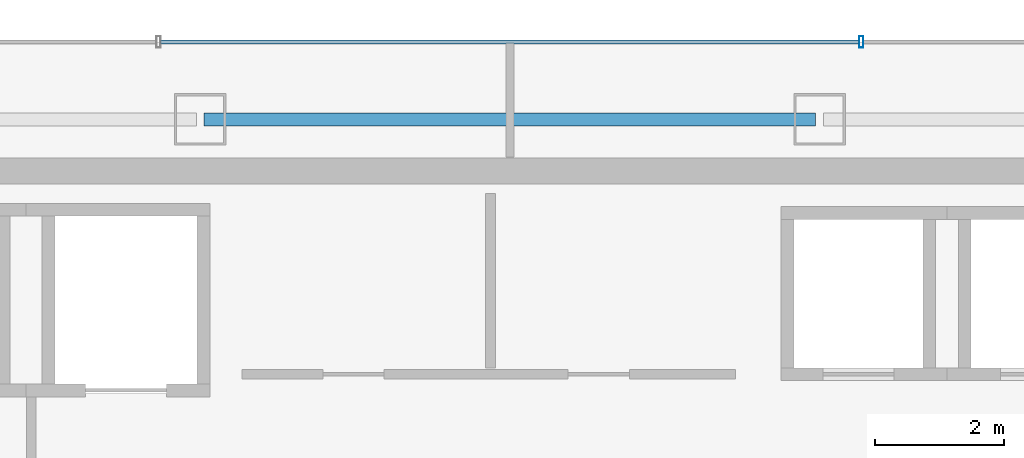
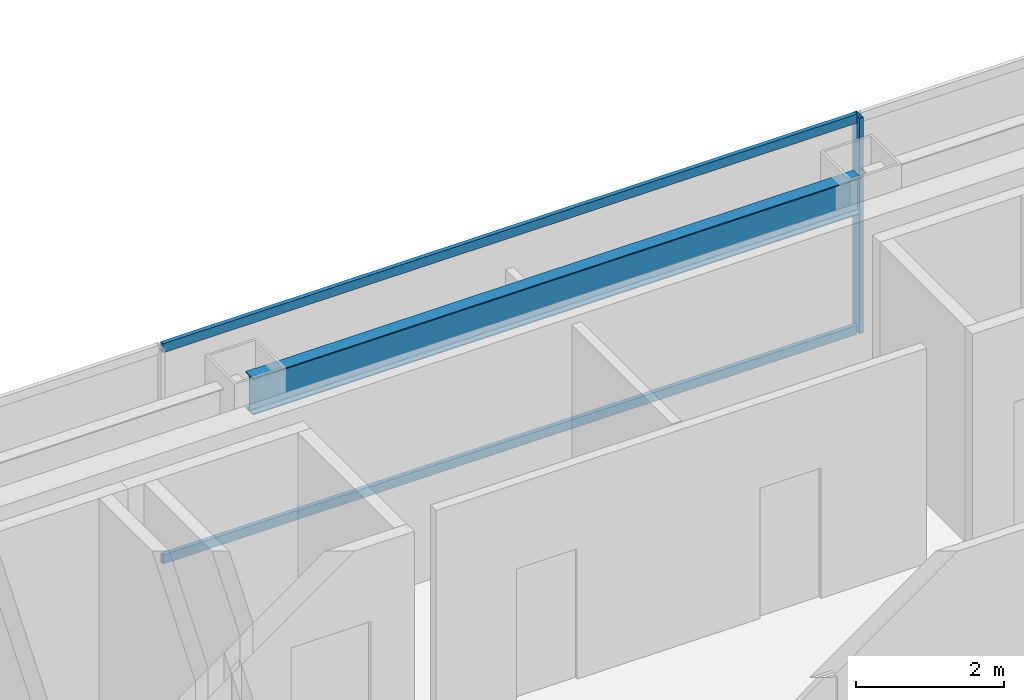
# One storey, part 21 of 32: 3 members, 1 beam, 1 element without a shape of its own.
"""IFC4 building model written with IfcOpenShell, lengths in metres."""

from ifc_helpers import new_model, si_unit, direction, frame, origin, origin_2d, place, context, subcontext, project, spatial, hollow_rectangle, i_section, extrude, material, material_profile, profile_set, type_object, element, aggregate, save


model = new_model("IFC4")

# Units and contexts
model_context = context("Model", 3, precision=1e-05, world=origin(), true_north=direction((0.0, 1.0)))
body_context = subcontext(model_context, "Body", "Model", "MODEL_VIEW")
ifc_project = project(units=[si_unit("LENGTHUNIT", "METRE"), si_unit("AREAUNIT", "SQUARE_METRE"), si_unit("VOLUMEUNIT", "CUBIC_METRE"), si_unit("PLANEANGLEUNIT", "RADIAN"), si_unit("MASSUNIT", "GRAM", prefix="KILO")], contexts=[model_context])

# Site, building, storey
site_placement = place(None, origin())
site = spatial("IfcSite", under=ifc_project, at=site_placement, CompositionType="ELEMENT")
building_placement = place(site_placement, origin())
building = spatial("IfcBuilding", under=site, at=building_placement, Name="Saevonmaru Cultural Tower", CompositionType="ELEMENT")
storey_placement = place(building_placement, frame((0.0, 0.0, 245.800048828125)))
storey = spatial("IfcBuildingStorey", under=building, at=storey_placement, Name="L57", CompositionType="ELEMENT", Elevation=245.800048828125)

# Beam
ifc_material_1 = material(Name="Steel SM355", Category="steel")
ifc_material_profile_1 = material_profile(ifc_material_1, i_section(OverallWidth=0.199951171875, OverallDepth=0.60009765625, WebThickness=0.010986328125, FlangeThickness=0.01708984375, FilletRadius=0.02197265625, at=origin_2d()), Name="H-600x200x11x17")
ifc_profile_set_1 = profile_set([ifc_material_profile_1], Name="Steel SM355")
beam_type = type_object("IfcBeamType", Name="BM-SP-H600", PredefinedType="SPANDREL", material=ifc_profile_set_1)
beam_placement = place(storey_placement, frame((25.260009765625, 54.800048828125, 3.25), z_axis=(1.0, 0.0, 0.0), x_axis=(0.0, 1.0, 0.0)))
element("IfcBeam", 1, at=beam_placement, inside=storey, type_object=beam_type, Name="L57 North Spine Girder 3", PredefinedType="SPANDREL", context=body_context, shape_type="SweptSolid", body=[
    extrude(i_section(OverallWidth=0.199951171875, OverallDepth=0.60009765625, WebThickness=0.010986328125, FlangeThickness=0.01708984375, FilletRadius=0.02197265625, at=origin_2d()), origin(), (0.0, 0.0, 1.0), 9.47998046875),
])

# Curtain wall, members
ifc_material_2 = material(Name="Satin Bronze Anodised Aluminium", Category="aluminium")
curtain_wall_type = type_object("IfcCurtainWallType", Name="CW-TYP-B", PredefinedType="NOTDEFINED", material=ifc_material_2)
curtain_wall_placement = place(storey_placement, origin())
curtain_wall = element("IfcCurtainWall", 2, at=curtain_wall_placement, inside=storey, type_object=curtain_wall_type, Name="L57 North Spine Unitised Curtain Wall E10B", PredefinedType="NOTDEFINED")
ifc_material_profile_2 = material_profile(ifc_material_2, hollow_rectangle(XDim=0.06494140625, YDim=0.179931640625, WallThickness=0.00390625, at=origin_2d()), Name="ALU-MULL-180x65x4")
ifc_profile_set_2 = profile_set([ifc_material_profile_2], Name="Satin Bronze Anodised Aluminium")
member_type_1 = type_object("IfcMemberType", Name="ML-CW-180x65", PredefinedType="MULLION", material=ifc_profile_set_2)
member_1_placement = place(storey_placement, frame((35.44677734375, 56.0, 0.0), z_axis=(0.0, 0.0, 1.0), x_axis=(-1.0, 0.0, 0.0)))
member_1 = element("IfcMember", 3, at=member_1_placement, type_object=member_type_1, Name="CW-TW-L57-E10B mullion 2", PredefinedType="MULLION", context=body_context, shape_type="SweptSolid", body=[
    extrude(hollow_rectangle(XDim=0.06494140625, YDim=0.179931640625, WallThickness=0.00390625, at=origin_2d()), origin(), (0.0, 0.0, 1.0), 3.550048828125),
])
ifc_material_profile_3 = material_profile(ifc_material_2, hollow_rectangle(XDim=0.06494140625, YDim=0.14990234375, WallThickness=0.00390625, at=origin_2d()), Name="ALU-TRAN-150x65x4")
ifc_profile_set_3 = profile_set([ifc_material_profile_3], Name="Satin Bronze Anodised Aluminium")
member_type_2 = type_object("IfcMemberType", Name="TR-CW-150x65", PredefinedType="USERDEFINED", material=ifc_profile_set_3)
member_2_placement = place(storey_placement, frame((35.4140625, 56.0, 0.032470703125), z_axis=(-1.0, 0.0, 0.0), x_axis=(0.0, -1.0, 0.0)))
member_2 = element("IfcMember", 4, at=member_2_placement, type_object=member_type_2, Name="CW-TW-L57-E10B transom 2.1", ObjectType="TRANSOM", PredefinedType="USERDEFINED", context=body_context, shape_type="SweptSolid", body=[
    extrude(hollow_rectangle(XDim=0.06494140625, YDim=0.14990234375, WallThickness=0.00390625, at=origin_2d()), origin(), (0.0, 0.0, 1.0), 10.828125),
])
member_3_placement = place(storey_placement, frame((35.4140625, 56.0, 3.517333984375), z_axis=(-1.0, 0.0, 0.0), x_axis=(0.0, -1.0, 0.0)))
member_3 = element("IfcMember", 5, at=member_3_placement, type_object=member_type_2, Name="CW-TW-L57-E10B transom 2.2", ObjectType="TRANSOM", PredefinedType="USERDEFINED", context=body_context, shape_type="SweptSolid", body=[
    extrude(hollow_rectangle(XDim=0.06494140625, YDim=0.14990234375, WallThickness=0.00390625, at=origin_2d()), origin(), (0.0, 0.0, 1.0), 10.828125),
])
aggregate(curtain_wall, [member_1, member_2, member_3])

save(model, "model.ifc")
